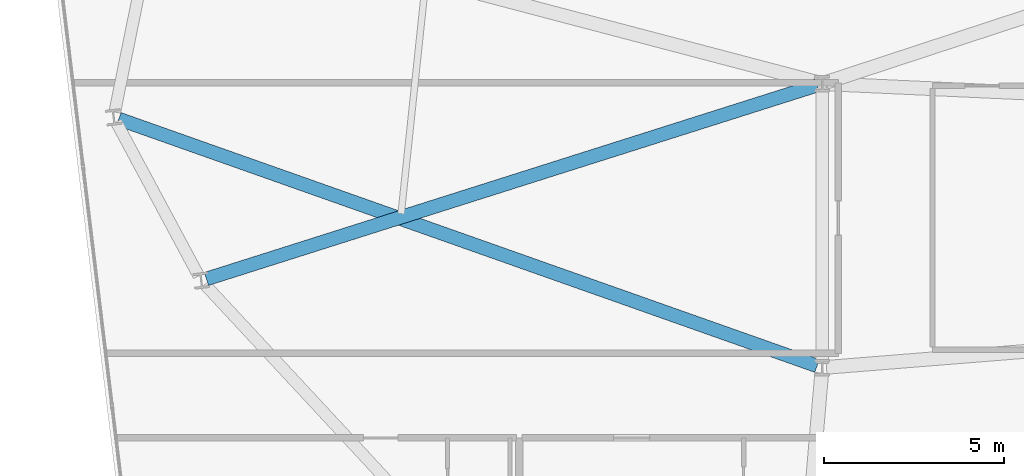
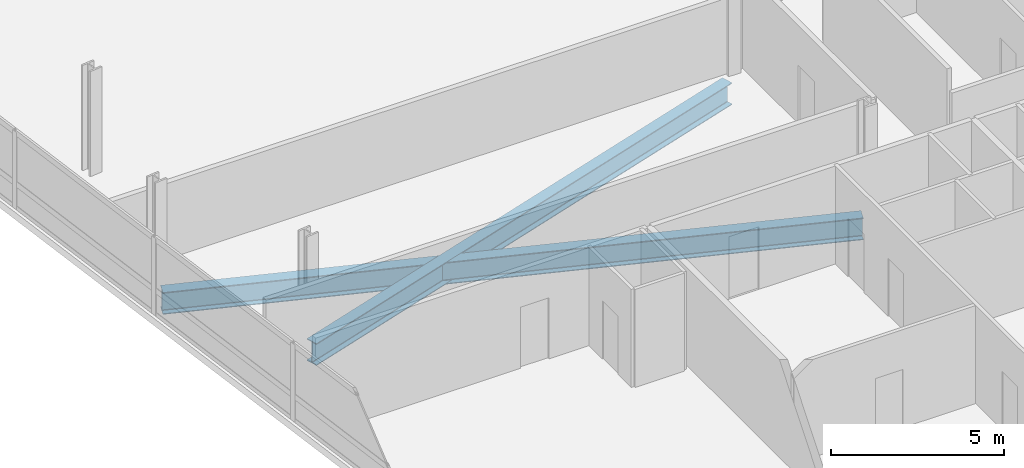
# One storey, part 5 of 24: 2 beams.
"""IFC4 building model written with IfcOpenShell, lengths in metres."""

from ifc_helpers import new_model, si_unit, direction, frame, origin, origin_2d, place, context, subcontext, project, spatial, i_section, extrude, material, material_profile, profile_set, type_object, element, save


model = new_model("IFC4")

# Units and contexts
model_context = context("Model", 3, precision=1e-05, world=origin(), true_north=direction((0.0, 1.0)))
body_context = subcontext(model_context, "Body", "Model", "MODEL_VIEW")
ifc_project = project(units=[si_unit("LENGTHUNIT", "METRE"), si_unit("AREAUNIT", "SQUARE_METRE"), si_unit("VOLUMEUNIT", "CUBIC_METRE"), si_unit("PLANEANGLEUNIT", "RADIAN"), si_unit("MASSUNIT", "GRAM", prefix="KILO")], contexts=[model_context])

# Site, building, storey
site_placement = place(None, origin())
site = spatial("IfcSite", under=ifc_project, at=site_placement, CompositionType="ELEMENT")
building_placement = place(site_placement, origin())
building = spatial("IfcBuilding", under=site, at=building_placement, Name="Varnelok Gate Tower", CompositionType="ELEMENT")
storey_placement = place(building_placement, frame((0.0, 0.0, 167.199951171875)))
storey = spatial("IfcBuildingStorey", under=building, at=storey_placement, Name="L42", CompositionType="ELEMENT", Elevation=167.199951171875)

# Beams
ifc_material = material(Name="Structural Steel ASTM A992 Grade 50", Category="steel")
ifc_material_profile = material_profile(ifc_material, i_section(OverallWidth=0.381103515625, OverallDepth=0.77294921875, WebThickness=0.0166015625, FlangeThickness=0.027099609375, FilletRadius=0.02197265625, at=origin_2d()), Name="W30X173")
ifc_profile_set = profile_set([ifc_material_profile], Name="Structural Steel ASTM A992 Grade 50")
beam_type = type_object("IfcBeamType", Name="BM-PRI-W30X173", PredefinedType="BEAM", material=ifc_profile_set)
beam_1_placement = place(storey_placement, frame((24.258544921875, 18.85009765625, -0.636474609375), z_axis=(-0.942837769657, 0.333252066923, 0.0), x_axis=(-0.333252066923, -0.942837769657, 0.0)))
element("IfcBeam", 1, at=beam_1_placement, inside=storey, type_object=beam_type, Name="L42 Radial Floor Girder 15", PredefinedType="BEAM", context=body_context, shape_type="SweptSolid", body=[
    extrude(i_section(OverallWidth=0.381103515625, OverallDepth=0.77294921875, WebThickness=0.0166015625, FlangeThickness=0.027099609375, FilletRadius=0.02197265625, at=origin_2d()), origin(), (0.0, 0.0, 1.0), 20.5458984375),
])
beam_2_placement = place(storey_placement, frame((24.257080078125, 26.634521484375, -0.636474609375), z_axis=(-0.953202154823, -0.302333676657, 0.0), x_axis=(0.302333676657, -0.953202154823, 0.0)))
element("IfcBeam", 2, at=beam_2_placement, inside=storey, type_object=beam_type, Name="L42 Radial Floor Girder 16", PredefinedType="BEAM", context=body_context, shape_type="SweptSolid", body=[
    extrude(i_section(OverallWidth=0.381103515625, OverallDepth=0.77294921875, WebThickness=0.0166015625, FlangeThickness=0.027099609375, FilletRadius=0.02197265625, at=origin_2d()), origin(), (0.0, 0.0, 1.0), 17.77099609375),
])

save(model, "model.ifc")
